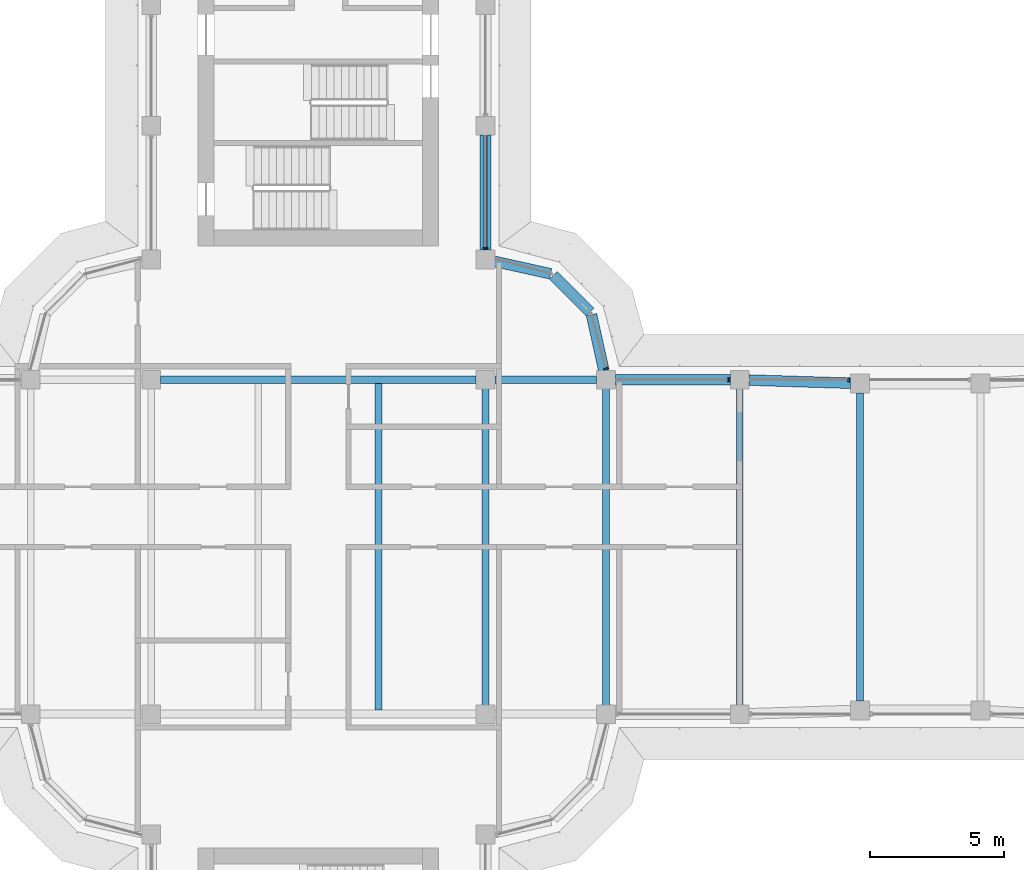
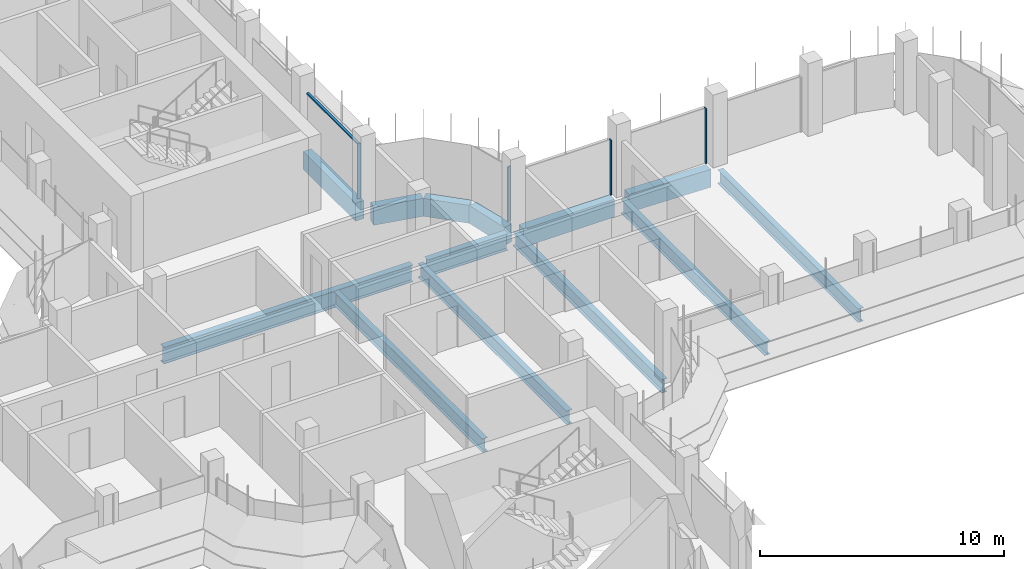
# One storey, part 8 of 18: 13 beams, 5 members, 3 elements without a shape of their own.
"""IFC4 building model written with IfcOpenShell, lengths in metres."""

from ifc_helpers import new_model, si_unit, direction, frame, origin, origin_2d, place, context, subcontext, project, spatial, polyline, rectangle, i_section, outline, extrude, source, transform, mapped, material, material_profile, profile_set, type_object, element, aggregate, save


model = new_model("IFC4")

# Units and contexts
model_context = context("Model", 3, precision=1e-05, world=origin(), true_north=direction((0.0, 1.0)))
body_context = subcontext(model_context, "Body", "Model", "MODEL_VIEW")
ifc_project = project(units=[si_unit("LENGTHUNIT", "METRE"), si_unit("AREAUNIT", "SQUARE_METRE"), si_unit("VOLUMEUNIT", "CUBIC_METRE"), si_unit("PLANEANGLEUNIT", "RADIAN"), si_unit("MASSUNIT", "GRAM", prefix="KILO")], contexts=[model_context])

# Site, building, storey
site_placement = place(None, origin())
site = spatial("IfcSite", under=ifc_project, at=site_placement, CompositionType="ELEMENT")
building_placement = place(site_placement, origin())
building = spatial("IfcBuilding", under=site, at=building_placement, Name="Zarbagh Exchange Tower", CompositionType="ELEMENT")
storey_placement = place(building_placement, frame((0.0, 0.0, 206.800048828125)))
storey = spatial("IfcBuildingStorey", under=building, at=storey_placement, Name="L50", CompositionType="ELEMENT", Elevation=206.800048828125)

# Beams
ifc_material_1 = material(Name="Steel ASTM A992 Gr 50", Category="steel")
ifc_material_profile_1 = material_profile(ifc_material_1, i_section(OverallWidth=0.25390625, OverallDepth=0.67822265625, WebThickness=0.01171875, FlangeThickness=0.016357421875, at=origin_2d()), Name="W27X84")
ifc_profile_set_1 = profile_set([ifc_material_profile_1], Name="Steel ASTM A992 Gr 50")
beam_type_1 = type_object("IfcBeamType", Name="Floor beam W27X84", PredefinedType="BEAM", material=ifc_profile_set_1)
for number, where, z_axis, x_axis, name in (
    (1, (2.25, -6.10400390625, -0.4892578125), (0.0, 1.0, 0.0), (-1.0, 0.0, 0.0), "Steel floor beam"),
    (2, (6.25, -6.10400390625, -0.4892578125), (0.0, 1.0, 0.0), (-1.0, 0.0, 0.0), "Steel floor beam"),
    (3, (10.75, -6.10400390625, -0.4892578125), (0.0, 1.0, 0.0), (-1.0, 0.0, 0.0), "Steel floor beam"),
):
    element("IfcBeam", number, at=place(storey_placement, frame(where, z_axis=z_axis, x_axis=x_axis)), inside=storey, type_object=beam_type_1, Name=name, PredefinedType="BEAM", context=body_context, shape_type="SweptSolid", body=[
        extrude(i_section(OverallWidth=0.25390625, OverallDepth=0.67822265625, WebThickness=0.01171875, FlangeThickness=0.016357421875, at=origin_2d()), origin(), (0.0, 0.0, 1.0), 12.2080078125),
    ])
beam_1_placement = place(storey_placement, frame((15.75, -5.89990234375, -0.4892578125), z_axis=(0.0, 1.0, 0.0), x_axis=(-1.0, 0.0, 0.0)))
element("IfcBeam", 4, at=beam_1_placement, inside=storey, type_object=beam_type_1, Name="Steel floor beam", PredefinedType="BEAM", context=body_context, shape_type="SweptSolid", body=[
    extrude(i_section(OverallWidth=0.25390625, OverallDepth=0.67822265625, WebThickness=0.01171875, FlangeThickness=0.016357421875, at=origin_2d()), origin(), (0.0, 0.0, 1.0), 11.7998046875),
])
beam_2_placement = place(storey_placement, frame((20.25, -5.760009765625, -0.4892578125), z_axis=(0.0, 1.0, 0.0), x_axis=(-1.0, 0.0, 0.0)))
element("IfcBeam", 5, at=beam_2_placement, inside=storey, type_object=beam_type_1, Name="Steel floor beam", PredefinedType="BEAM", context=body_context, shape_type="SweptSolid", body=[
    extrude(i_section(OverallWidth=0.25390625, OverallDepth=0.67822265625, WebThickness=0.01171875, FlangeThickness=0.016357421875, at=origin_2d()), origin(), (0.0, 0.0, 1.0), 11.52001953125),
])
ifc_material_profile_2 = material_profile(ifc_material_1, i_section(OverallWidth=0.2919921875, OverallDepth=0.835693359375, WebThickness=0.013916015625, FlangeThickness=0.018798828125, at=origin_2d()), Name="W33X118")
ifc_profile_set_2 = profile_set([ifc_material_profile_2], Name="Steel ASTM A992 Gr 50")
beam_type_2 = type_object("IfcBeamType", Name="Floor girder W33X118", PredefinedType="BEAM", material=ifc_profile_set_2)
beam_3_placement = place(storey_placement, frame((-5.89990234375, 6.25, -0.56787109375), z_axis=(1.0, 0.0, 0.0), x_axis=(0.0, 1.0, 0.0)))
element("IfcBeam", 6, at=beam_3_placement, inside=storey, type_object=beam_type_2, Name="Steel girder", PredefinedType="BEAM", context=body_context, shape_type="SweptSolid", body=[
    extrude(i_section(OverallWidth=0.2919921875, OverallDepth=0.835693359375, WebThickness=0.013916015625, FlangeThickness=0.018798828125, at=origin_2d()), origin(), (0.0, 0.0, 1.0), 11.7998046875),
])
beam_4_placement = place(storey_placement, frame((6.60009765625, 6.25, -0.56787109375), z_axis=(1.0, 0.0, 0.0), x_axis=(0.0, 1.0, 0.0)))
element("IfcBeam", 7, at=beam_4_placement, inside=storey, type_object=beam_type_2, Name="Steel girder", PredefinedType="BEAM", context=body_context, shape_type="SweptSolid", body=[
    extrude(i_section(OverallWidth=0.2919921875, OverallDepth=0.835693359375, WebThickness=0.013916015625, FlangeThickness=0.018798828125, at=origin_2d()), origin(), (0.0, 0.0, 1.0), 3.7998046875),
])
ifc_material_2 = material(Name="Concrete C50/60", Category="concrete")
ifc_material_profile_3 = material_profile(ifc_material_2, rectangle(XDim=0.39990234375, YDim=0.89990234375, at=origin_2d()), Name="RC spandrel beam 400 x 900 C50/60")
ifc_profile_set_3 = profile_set([ifc_material_profile_3], Name="Concrete C50/60")
beam_type_3 = type_object("IfcBeamType", Name="RC spandrel beam 400 x 900 C50/60", PredefinedType="SPANDREL", material=ifc_profile_set_3)
beam_5_placement = place(storey_placement, frame((6.25, 15.39990234375, -0.60009765625), z_axis=(0.0, -1.0, 0.0), x_axis=(1.0, 0.0, 0.0)))
element("IfcBeam", 8, at=beam_5_placement, inside=storey, type_object=beam_type_3, Name="RC spandrel beam", PredefinedType="SPANDREL", context=body_context, shape_type="SweptSolid", body=[
    extrude(rectangle(XDim=0.39990234375, YDim=0.89990234375, at=origin_2d()), origin(), (0.0, 0.0, 1.0), 4.2998046875),
])
beam_6_placement = place(storey_placement, frame((6.591796875, 10.67431640625, -0.60009765625), z_axis=(0.97639036545, -0.216013551096, 0.0), x_axis=(0.216013551096, 0.97639036545, 0.0)))
element("IfcBeam", 9, at=beam_6_placement, inside=storey, type_object=beam_type_3, Name="RC spandrel beam", PredefinedType="SPANDREL", context=body_context, shape_type="SweptSolid", body=[
    extrude(rectangle(XDim=0.39990234375, YDim=0.89990234375, at=origin_2d()), origin(), (0.0, 0.0, 1.0), 2.142822265625),
])
beam_7_placement = place(storey_placement, frame((8.782470703125, 10.15771484375, -0.60009765625), z_axis=(0.707106781187, -0.707106781187, 0.0), x_axis=(0.707106781187, 0.707106781187, 0.0)))
element("IfcBeam", 10, at=beam_7_placement, inside=storey, type_object=beam_type_3, Name="RC spandrel beam", PredefinedType="SPANDREL", context=body_context, shape_type="SweptSolid", body=[
    extrude(rectangle(XDim=0.39990234375, YDim=0.89990234375, at=origin_2d()), origin(), (0.0, 0.0, 1.0), 1.94482421875),
])
beam_8_placement = place(storey_placement, frame((10.21142578125, 8.68408203125, -0.60009765625), z_axis=(0.216013551096, -0.97639036545, 0.0), x_axis=(0.97639036545, 0.216013551096, 0.0)))
element("IfcBeam", 11, at=beam_8_placement, inside=storey, type_object=beam_type_3, Name="RC spandrel beam", PredefinedType="SPANDREL", context=body_context, shape_type="SweptSolid", body=[
    extrude(rectangle(XDim=0.39990234375, YDim=0.89990234375, at=origin_2d()), origin(), (0.0, 0.0, 1.0), 2.142822265625),
])
beam_9_placement = place(storey_placement, frame((11.10009765625, 6.25, -0.60009765625), z_axis=(1.0, 0.0, 0.0), x_axis=(0.0, 1.0, 0.0)))
element("IfcBeam", 12, at=beam_9_placement, inside=storey, type_object=beam_type_3, Name="RC spandrel beam", PredefinedType="SPANDREL", context=body_context, shape_type="SweptSolid", body=[
    extrude(rectangle(XDim=0.39990234375, YDim=0.89990234375, at=origin_2d()), origin(), (0.0, 0.0, 1.0), 4.2998046875),
])
beam_10_placement = place(storey_placement, frame((16.099853515625, 6.239013671875, -0.60009765625), z_axis=(0.999516950199, -0.031078389046, 0.0), x_axis=(0.031078389046, 0.999516950199, 0.0)))
element("IfcBeam", 13, at=beam_10_placement, inside=storey, type_object=beam_type_3, Name="RC spandrel beam", PredefinedType="SPANDREL", context=body_context, shape_type="SweptSolid", body=[
    extrude(rectangle(XDim=0.39990234375, YDim=0.89990234375, at=origin_2d()), origin(), (0.0, 0.0, 1.0), 3.80224609375),
])

# Curtain wall, members
ifc_material_3 = material(Name="Anodised aluminium frame and glazing", Category="aluminium")
curtain_wall_type = type_object("IfcCurtainWallType", Name="CWB Ribbon glazing, upper zones", PredefinedType="NOTDEFINED", material=ifc_material_3)
curtain_wall_1_placement = place(storey_placement, origin())
curtain_wall_1 = element("IfcCurtainWall", 14, at=curtain_wall_1_placement, inside=storey, type_object=curtain_wall_type, Name="CWB16 curtain wall", PredefinedType="NOTDEFINED")
ifc_material_4 = material(Name="Anodised aluminium frame", Category="aluminium")
member_type_1 = type_object("IfcMemberType", Name="MUB Mullion, anodised aluminium frame", PredefinedType="MULLION", material=ifc_material_4)
shared_shape_1 = source(origin(), body_context, "Body", "SweptSolid", [
    extrude(outline(polyline([(0.0, -0.080078125), (0.06005859375, -0.080078125), (0.06005859375, 0.080078125), (0.0, 0.080078125), (0.0, -0.080078125)])), origin(), (0.0, 0.0, 1.0), 2.75),
])
placement = place(storey_placement, origin())
member_1 = element("IfcMember", 15, at=placement, type_object=member_type_1, Name="CWB16 mullion 3.1", PredefinedType="MULLION", context=body_context, shape_type="MappedRepresentation", body=[
    mapped(shared_shape_1, transform((19.85986328125, 6.25, 0.0), x_axis=(-1.0, 0.0, 0.0), y_axis=(0.0, -1.0, 0.0), z_axis=(0.0, 0.0, 1.0))),
])
member_2 = element("IfcMember", 16, at=placement, type_object=member_type_1, Name="CWB16 mullion 4.1", PredefinedType="MULLION", context=body_context, shape_type="MappedRepresentation", body=[
    mapped(shared_shape_1, transform((15.35986328125, 6.25, 0.0), x_axis=(-1.0, 0.0, 0.0), y_axis=(0.0, -1.0, 0.0), z_axis=(0.0, 0.0, 1.0))),
])
aggregate(curtain_wall_1, [member_1, member_2])

# Curtain wall, member
curtain_wall_2_placement = place(storey_placement, origin())
curtain_wall_2 = element("IfcCurtainWall", 17, at=curtain_wall_2_placement, inside=storey, type_object=curtain_wall_type, Name="CWB17 curtain wall", PredefinedType="NOTDEFINED")
member_3 = element("IfcMember", 18, at=placement, type_object=member_type_1, Name="CWB17 mullion 1.1", PredefinedType="MULLION", context=body_context, shape_type="MappedRepresentation", body=[
    mapped(shared_shape_1, transform((10.76171875, 6.64013671875, 0.0), x_axis=(-0.258824779902, 0.965924289636, 0.0), y_axis=(-0.965924289636, -0.258824779902, 0.0), z_axis=(0.0, 0.0, 1.0))),
])
aggregate(curtain_wall_2, [member_3])

# Curtain wall, members
curtain_wall_3_placement = place(storey_placement, origin())
curtain_wall_3 = element("IfcCurtainWall", 19, at=curtain_wall_3_placement, inside=storey, type_object=curtain_wall_type, Name="CWB20 curtain wall", PredefinedType="NOTDEFINED")
member_4 = element("IfcMember", 20, at=placement, type_object=member_type_1, Name="CWB20 mullion 1.1", PredefinedType="MULLION", context=body_context, shape_type="MappedRepresentation", body=[
    mapped(shared_shape_1, transform((6.25, 11.14013671875, 0.0), x_axis=(0.0, 1.0, 0.0), y_axis=(-1.0, 0.0, 0.0), z_axis=(0.0, 0.0, 1.0))),
])
member_type_2 = type_object("IfcMemberType", Name="TRB Transom, anodised aluminium frame", PredefinedType="USERDEFINED", material=ifc_material_4)
shared_shape_2 = source(origin(), body_context, "Body", "SweptSolid", [
    extrude(outline(polyline([(-0.06005859375, -0.06005859375), (0.0, -0.06005859375), (0.0, 0.06005859375), (-0.06005859375, 0.06005859375), (-0.06005859375, -0.06005859375)])), origin(), (0.0, 0.0, 1.0), 4.159912109375),
])
member_5 = element("IfcMember", 21, at=placement, type_object=member_type_2, Name="CWB20 transom 1.1", ObjectType="TRANSOM", PredefinedType="USERDEFINED", context=body_context, shape_type="MappedRepresentation", body=[
    mapped(shared_shape_2, transform((6.25, 11.199951171875, 2.75), x_axis=(0.0, 0.0, 1.0), y_axis=(1.0, 0.0, 0.0), z_axis=(0.0, 1.0, 0.0))),
])
aggregate(curtain_wall_3, [member_4, member_5])

save(model, "model.ifc")
